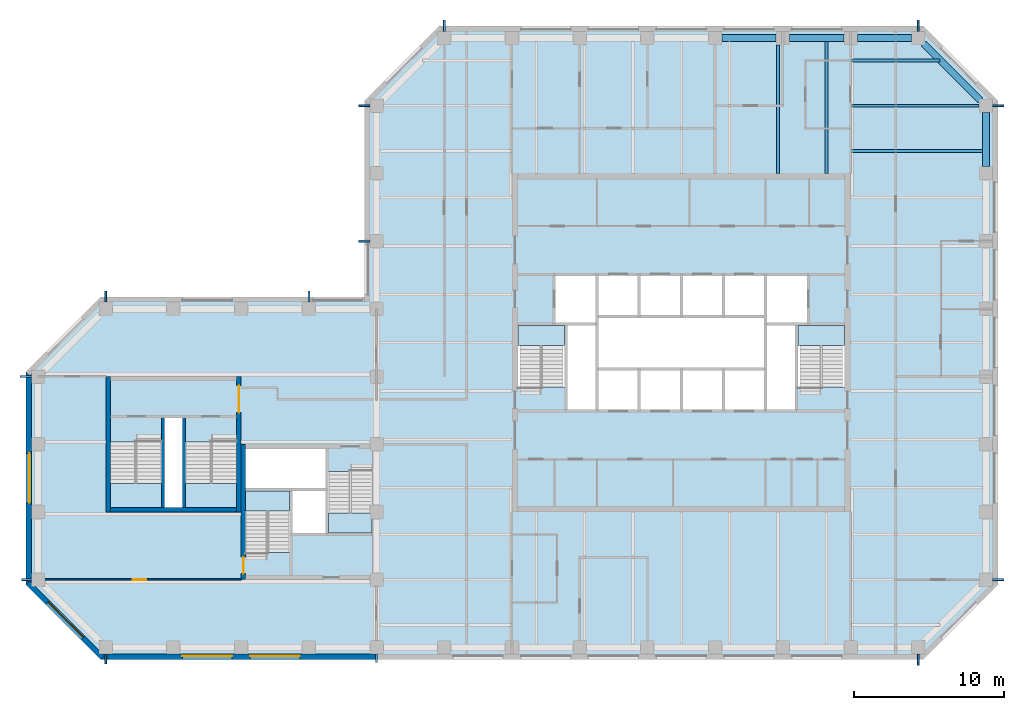
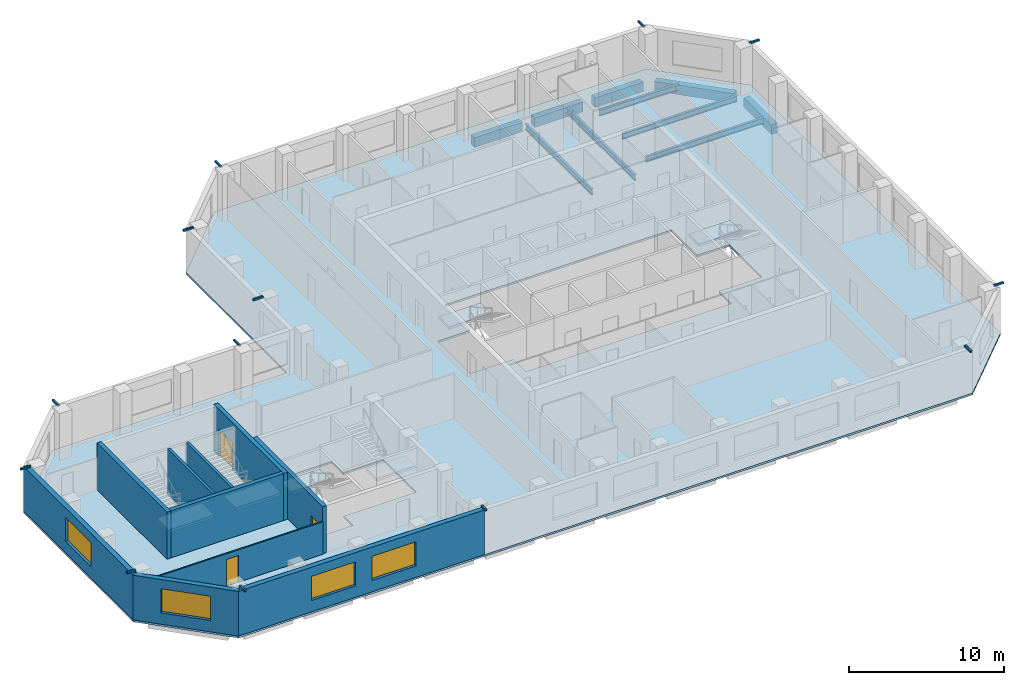
# One storey, part 2 of 9: 23 beams, 10 walls, 7 slabs, 4 windows, 3 doors, 7 openings, 6 elements without a shape of their own.
"""IFC4 building model written with IfcOpenShell, lengths in metres."""

from ifc_helpers import new_model, si_unit, direction, frame, frame_2d, origin, origin_2d, place, context, subcontext, project, spatial, polyline, rectangle, hollow_rectangle, i_section, outline, extrude, material, layer, layer_set, constituent, constituent_set, material_profile, profile_set, type_object, element, fill, aggregate, save


model = new_model("IFC4")

# Units and contexts
model_context = context("Model", 3, precision=1e-05, world=origin(), true_north=direction((0.0, 1.0)))
body_context = subcontext(model_context, "Body", "Model", "MODEL_VIEW")
ifc_project = project(units=[si_unit("LENGTHUNIT", "METRE"), si_unit("AREAUNIT", "SQUARE_METRE"), si_unit("VOLUMEUNIT", "CUBIC_METRE"), si_unit("PLANEANGLEUNIT", "RADIAN"), si_unit("MASSUNIT", "GRAM", prefix="KILO")], contexts=[model_context])

# Site, building, storey
site_placement = place(None, origin())
site = spatial("IfcSite", under=ifc_project, at=site_placement, CompositionType="ELEMENT")
building_placement = place(site_placement, origin())
building = spatial("IfcBuilding", under=site, at=building_placement, Name="Quoin Convention Tower", CompositionType="ELEMENT")
storey_placement = place(building_placement, frame((0.0, 0.0, 155.10009765625)))
storey = spatial("IfcBuildingStorey", under=building, at=storey_placement, Name="L40", CompositionType="ELEMENT", Elevation=155.10009765625)

# Beams
ifc_material_1 = material(Name="Steel C450L0", Category="steel")
ifc_material_profile_1 = material_profile(ifc_material_1, hollow_rectangle(XDim=0.14990234375, YDim=0.14990234375, WallThickness=0.008056640625, InnerFilletRadius=0.011962890625, OuterFilletRadius=0.02001953125, at=origin_2d()), Name="150x150x8.0SHS")
ifc_profile_set_1 = profile_set([ifc_material_profile_1], Name="Steel C450L0")
beam_type_1 = type_object("IfcBeamType", Name="150x150x8.0SHS", PredefinedType="BEAM", material=ifc_profile_set_1)
beam_1_placement = place(storey_placement, frame((13.050048828125, 58.5, 3.625), z_axis=(-1.0, 0.0, 0.0), x_axis=(0.0, -1.0, 0.0)))
element("IfcBeam", 1, at=beam_1_placement, inside=storey, type_object=beam_type_1, Name="brk-hi-L37-13500_58500-13500_54000", PredefinedType="BEAM", context=body_context, shape_type="SweptSolid", body=[
    extrude(hollow_rectangle(XDim=0.14990234375, YDim=0.14990234375, WallThickness=0.008056640625, InnerFilletRadius=0.011962890625, OuterFilletRadius=0.02001953125, at=origin_2d()), origin(), (0.0, 0.0, 1.0), 0.75),
])
for number, where, z_axis, x_axis, name in (
    (2, (13.050048828125, 45.0, 3.625), (-1.0, 0.0, 0.0), (0.0, -1.0, 0.0), "brk-hi-L37-13500_49500-13500_45000"),
    (3, (18.0, 40.050048828125, 3.625), (0.0, -1.0, 0.0), (1.0, 0.0, 0.0), "brk-hi-L37-18000_40500-22500_40500"),
):
    element("IfcBeam", number, at=place(storey_placement, frame(where, z_axis=z_axis, x_axis=x_axis)), inside=storey, type_object=beam_type_1, Name=name, PredefinedType="BEAM", context=body_context, shape_type="SweptSolid", body=[
        extrude(hollow_rectangle(XDim=0.14990234375, YDim=0.14990234375, WallThickness=0.008056640625, InnerFilletRadius=0.011962890625, OuterFilletRadius=0.02001953125, at=origin_2d()), origin(), (0.0, 0.0, 1.0), 0.650146484375),
    ])
beam_2_placement = place(storey_placement, frame((36.0, 40.050048828125, 3.625), z_axis=(0.0, -1.0, 0.0), x_axis=(1.0, 0.0, 0.0)))
element("IfcBeam", 4, at=beam_2_placement, inside=storey, type_object=beam_type_1, Name="brk-hi-L37-31500_40500-36000_40500", PredefinedType="BEAM", context=body_context, shape_type="SweptSolid", body=[
    extrude(hollow_rectangle(XDim=0.14990234375, YDim=0.14990234375, WallThickness=0.008056640625, InnerFilletRadius=0.011962890625, OuterFilletRadius=0.02001953125, at=origin_2d()), origin(), (0.0, 0.0, 1.0), 0.550048828125),
])
for number, where, z_axis, x_axis, name in (
    (5, (72.0, 40.050048828125, 3.625), (0.0, -1.0, 0.0), (1.0, 0.0, 0.0), "brk-hi-L37-67500_40500-72000_40500"),
    (6, (31.5, 63.449951171875, 3.625), (0.0, 1.0, 0.0), (-1.0, 0.0, 0.0), "brk-hi-L37-31500_63000-27000_63000"),
    (7, (18.0, 63.449951171875, 3.625), (0.0, 1.0, 0.0), (-1.0, 0.0, 0.0), "brk-hi-L37-22500_63000-18000_63000"),
    (8, (35.550048828125, 76.5, 3.625), (-1.0, 0.0, 0.0), (0.0, -1.0, 0.0), "brk-hi-L37-36000_76500-36000_72000"),
    (9, (35.550048828125, 67.5, 3.625), (-1.0, 0.0, 0.0), (0.0, -1.0, 0.0), "brk-hi-L37-36000_72000-36000_67500"),
    (10, (72.0, 81.449951171875, 3.625), (0.0, 1.0, 0.0), (-1.0, 0.0, 0.0), "brk-hi-L37-72000_81000-67500_81000"),
    (11, (40.5, 81.449951171875, 3.625), (0.0, 1.0, 0.0), (-1.0, 0.0, 0.0), "brk-hi-L37-45000_81000-40500_81000"),
    (12, (76.949951171875, 45.0, 3.625), (1.0, 0.0, 0.0), (0.0, 1.0, 0.0), "brk-hi-L37-76500_45000-76500_49500"),
    (13, (76.949951171875, 76.5, 3.625), (1.0, 0.0, 0.0), (0.0, 1.0, 0.0), "brk-hi-L37-76500_72000-76500_76500"),
):
    element("IfcBeam", number, at=place(storey_placement, frame(where, z_axis=z_axis, x_axis=x_axis)), inside=storey, type_object=beam_type_1, Name=name, PredefinedType="BEAM", context=body_context, shape_type="SweptSolid", body=[
        extrude(hollow_rectangle(XDim=0.14990234375, YDim=0.14990234375, WallThickness=0.008056640625, InnerFilletRadius=0.011962890625, OuterFilletRadius=0.02001953125, at=origin_2d()), origin(), (0.0, 0.0, 1.0), 0.75),
    ])
ifc_material_2 = material(Name="Steel Grade 300", Category="steel")
ifc_material_profile_2 = material_profile(ifc_material_2, i_section(OverallWidth=0.18994140625, OverallDepth=0.4541015625, WebThickness=0.008544921875, FlangeThickness=0.0126953125, FilletRadius=0.011474609375, at=origin_2d()), Name="460UB67.1")
ifc_profile_set_2 = profile_set([ifc_material_profile_2], Name="Steel Grade 300")
beam_type_2 = type_object("IfcBeamType", Name="460UB67.1", PredefinedType="BEAM", material=ifc_profile_set_2)
beam_3_placement = place(storey_placement, frame((62.6787109375, 72.0, -0.377197265625), z_axis=(0.0, 1.0, 0.0), x_axis=(-1.0, 0.0, 0.0)))
element("IfcBeam", 14, at=beam_3_placement, inside=storey, type_object=beam_type_2, Name="bm-L40-T1N5", PredefinedType="BEAM", context=body_context, shape_type="SweptSolid", body=[
    extrude(i_section(OverallWidth=0.18994140625, OverallDepth=0.4541015625, WebThickness=0.008544921875, FlangeThickness=0.0126953125, FilletRadius=0.011474609375, at=origin_2d()), origin(), (0.0, 0.0, 1.0), 8.550048828125),
])
beam_4_placement = place(storey_placement, frame((65.892822265625, 72.0, -0.377197265625), z_axis=(0.0, 1.0, 0.0), x_axis=(-1.0, 0.0, 0.0)))
element("IfcBeam", 15, at=beam_4_placement, inside=storey, type_object=beam_type_2, Name="bm-L40-T1N6", PredefinedType="BEAM", context=body_context, shape_type="SweptSolid", body=[
    extrude(i_section(OverallWidth=0.18994140625, OverallDepth=0.4541015625, WebThickness=0.008544921875, FlangeThickness=0.0126953125, FilletRadius=0.011474609375, at=origin_2d()), origin(), (0.0, 0.0, 1.0), 8.77490234375),
])
beam_5_placement = place(storey_placement, frame((67.5, 79.5, -0.377197265625), z_axis=(1.0, 0.0, 0.0), x_axis=(0.0, 1.0, 0.0)))
element("IfcBeam", 16, at=beam_5_placement, inside=storey, type_object=beam_type_2, Name="bm-L40-T1NE0", PredefinedType="BEAM", context=body_context, shape_type="SweptSolid", body=[
    extrude(i_section(OverallWidth=0.18994140625, OverallDepth=0.4541015625, WebThickness=0.008544921875, FlangeThickness=0.0126953125, FilletRadius=0.011474609375, at=origin_2d()), origin(), (0.0, 0.0, 1.0), 5.935791015625),
])
beam_6_placement = place(storey_placement, frame((67.5, 76.5, -0.377197265625), z_axis=(1.0, 0.0, 0.0), x_axis=(0.0, 1.0, 0.0)))
element("IfcBeam", 17, at=beam_6_placement, inside=storey, type_object=beam_type_2, Name="bm-L40-T1NE1", PredefinedType="BEAM", context=body_context, shape_type="SweptSolid", body=[
    extrude(i_section(OverallWidth=0.18994140625, OverallDepth=0.4541015625, WebThickness=0.008544921875, FlangeThickness=0.0126953125, FilletRadius=0.011474609375, at=origin_2d()), origin(), (0.0, 0.0, 1.0), 8.550048828125),
])
beam_7_placement = place(storey_placement, frame((67.5, 73.5, -0.377197265625), z_axis=(1.0, 0.0, 0.0), x_axis=(0.0, 1.0, 0.0)))
element("IfcBeam", 18, at=beam_7_placement, inside=storey, type_object=beam_type_2, Name="bm-L40-T1NE2", PredefinedType="BEAM", context=body_context, shape_type="SweptSolid", body=[
    extrude(i_section(OverallWidth=0.18994140625, OverallDepth=0.4541015625, WebThickness=0.008544921875, FlangeThickness=0.0126953125, FilletRadius=0.011474609375, at=origin_2d()), origin(), (0.0, 0.0, 1.0), 8.77490234375),
])
ifc_material_3 = material(Name="Concrete C50", Category="concrete")
ifc_material_profile_3 = material_profile(ifc_material_3, rectangle(XDim=0.449951171875, YDim=0.75, at=origin_2d()), Name="RC 450x750")
ifc_profile_set_3 = profile_set([ifc_material_profile_3], Name="Concrete C50")
beam_type_3 = type_object("IfcBeamType", Name="RC 450x750 C50", PredefinedType="SPANDREL", material=ifc_profile_set_3)
beam_8_placement = place(storey_placement, frame((76.5, 72.449951171875, -0.525146484375), z_axis=(0.0, 1.0, 0.0), x_axis=(-1.0, 0.0, 0.0)))
element("IfcBeam", 19, at=beam_8_placement, inside=storey, type_object=beam_type_3, Name="spd-L40-76500_72000-76500_76500", PredefinedType="SPANDREL", context=body_context, shape_type="SweptSolid", body=[
    extrude(rectangle(XDim=0.449951171875, YDim=0.75, at=origin_2d()), origin(), (0.0, 0.0, 1.0), 3.60009765625),
])
beam_9_placement = place(storey_placement, frame((76.135009765625, 76.864990234375, -0.525146484375), z_axis=(-0.707106781187, 0.707106781187, 0.0), x_axis=(-0.707106781187, -0.707106781187, 0.0)))
element("IfcBeam", 20, at=beam_9_placement, inside=storey, type_object=beam_type_3, Name="spd-L40-76500_76500-72000_81000", PredefinedType="SPANDREL", context=body_context, shape_type="SweptSolid", body=[
    extrude(rectangle(XDim=0.449951171875, YDim=0.75, at=origin_2d()), origin(), (0.0, 0.0, 1.0), 5.33154296875),
])
for number, where, z_axis, x_axis, name in (
    (21, (71.550048828125, 81.0, -0.525146484375), (-1.0, 0.0, 0.0), (0.0, -1.0, 0.0), "spd-L40-72000_81000-67500_81000"),
    (22, (67.050048828125, 81.0, -0.525146484375), (-1.0, 0.0, 0.0), (0.0, -1.0, 0.0), "spd-L40-67500_81000-63000_81000"),
    (23, (62.550048828125, 81.0, -0.525146484375), (-1.0, 0.0, 0.0), (0.0, -1.0, 0.0), "spd-L40-63000_81000-58500_81000"),
):
    element("IfcBeam", number, at=place(storey_placement, frame(where, z_axis=z_axis, x_axis=x_axis)), inside=storey, type_object=beam_type_3, Name=name, PredefinedType="SPANDREL", context=body_context, shape_type="SweptSolid", body=[
        extrude(rectangle(XDim=0.449951171875, YDim=0.75, at=origin_2d()), origin(), (0.0, 0.0, 1.0), 3.60009765625),
    ])

# Slab
ifc_material_4 = material(Name="Concrete C40", Category="concrete")
ifc_layer_1 = layer(ifc_material_4, 0.14990234375)
ifc_layer_set_1 = layer_set([ifc_layer_1], Name="Concrete C40")
slab_type_1 = type_object("IfcSlabType", Name="COMPOSITE SLAB 150 C40", PredefinedType="FLOOR", material=ifc_layer_set_1)
slab_1_placement = place(storey_placement, frame((0.0, 0.0, -0.150146484375)))
element("IfcSlab", 24, at=slab_1_placement, inside=storey, type_object=slab_type_1, Name="slb-L40", PredefinedType="FLOOR", context=body_context, shape_type="SweptSolid", body=[
    extrude(outline(polyline([(17.668701171875, 39.699951171875), (12.699951171875, 44.668701171875), (12.699951171875, 58.831298828125), (17.668701171875, 63.800048828125), (35.199951171875, 63.800048828125), (35.199951171875, 76.831298828125), (40.168701171875, 81.800048828125), (72.331298828125, 81.800048828125), (77.300048828125, 76.831298828125), (77.300048828125, 44.668701171875), (72.331298828125, 39.699951171875), (17.668701171875, 39.699951171875)]), holes=[polyline([(27.300048828125, 51.0), (27.300048828125, 46.800537109375), (30.300048828125, 46.800537109375), (30.300048828125, 48.0), (32.699951171875, 48.0), (35.699951171875, 48.0), (35.699951171875, 52.199462890625), (32.699951171875, 52.199462890625), (32.699951171875, 53.699951171875), (27.300048828125, 53.699951171875), (27.300048828125, 51.0)]), polyline([(18.300048828125, 49.800048828125), (21.800048828125, 49.800048828125), (23.199951171875, 49.800048828125), (26.699951171875, 49.800048828125), (26.699951171875, 54.1494140625), (23.199951171875, 54.1494140625), (23.199951171875, 55.85009765625), (21.800048828125, 55.85009765625), (21.800048828125, 54.1494140625), (18.300048828125, 54.1494140625), (18.300048828125, 49.800048828125)]), polyline([(48.60009765625, 56.199951171875), (50.64990234375, 56.199951171875), (53.449951171875, 56.199951171875), (56.25, 56.199951171875), (59.050048828125, 56.199951171875), (61.85009765625, 56.199951171875), (63.89990234375, 56.199951171875), (63.89990234375, 57.800537109375), (67.10009765625, 57.800537109375), (67.10009765625, 62.0), (64.699951171875, 62.0), (64.699951171875, 65.300048828125), (61.85009765625, 65.300048828125), (59.050048828125, 65.300048828125), (56.25, 65.300048828125), (53.449951171875, 65.300048828125), (50.64990234375, 65.300048828125), (47.800048828125, 65.300048828125), (47.800048828125, 62.0), (45.39990234375, 62.0), (45.39990234375, 57.800537109375), (48.60009765625, 57.800537109375), (48.60009765625, 56.199951171875)])]), origin(), (0.0, 0.0, 1.0), 0.150146484375),
])

# Stair, slab
stair_type_1 = type_object("IfcStairType", Name="Exit stair two-flight 1350", PredefinedType="HALF_TURN_STAIR", material=ifc_material_4)
stair_1_placement = place(storey_placement, origin())
stair_1 = element("IfcStair", 25, at=stair_1_placement, inside=storey, type_object=stair_type_1, Name="SD1 L40", PredefinedType="HALF_TURN_STAIR")
ifc_layer_2 = layer(ifc_material_4, 0.199951171875)
ifc_layer_set_2 = layer_set([ifc_layer_2], Name="Concrete C40")
slab_type_2 = type_object("IfcSlabType", Name="Stair landing 200", PredefinedType="LANDING", material=ifc_layer_set_2)
slab_2_placement = place(storey_placement, frame((0.0, 0.0, 1.792236328125)))
slab_2 = element("IfcSlab", 26, at=slab_2_placement, type_object=slab_type_2, Name="ST1 landing 1", PredefinedType="LANDING", context=body_context, shape_type="SweptSolid", body=[
    extrude(outline(polyline([(45.39990234375, 60.550048828125), (48.5, 60.550048828125), (48.5, 61.89990234375), (45.39990234375, 61.89990234375), (45.39990234375, 60.550048828125)])), origin(), (0.0, 0.0, 1.0), 0.199951171875),
])
aggregate(stair_1, [slab_2])

stair_2_placement = place(storey_placement, origin())
stair_2 = element("IfcStair", 27, at=stair_2_placement, inside=storey, type_object=stair_type_1, Name="SD2 L40", PredefinedType="HALF_TURN_STAIR")
slab_3_placement = place(storey_placement, frame((0.0, 0.0, 1.792236328125)))
slab_3 = element("IfcSlab", 28, at=slab_3_placement, type_object=slab_type_2, Name="ST2 landing 1", PredefinedType="LANDING", context=body_context, shape_type="SweptSolid", body=[
    extrude(outline(polyline([(64.0, 60.550048828125), (67.10009765625, 60.550048828125), (67.10009765625, 61.89990234375), (64.0, 61.89990234375), (64.0, 60.550048828125)])), origin(), (0.0, 0.0, 1.0), 0.199951171875),
])
aggregate(stair_2, [slab_3])

stair_3_placement = place(storey_placement, origin())
stair_3 = element("IfcStair", 29, at=stair_3_placement, inside=storey, type_object=stair_type_1, Name="SD3 L40", PredefinedType="HALF_TURN_STAIR")
slab_4_placement = place(storey_placement, frame((0.0, 0.0, 1.792236328125)))
slab_4 = element("IfcSlab", 30, at=slab_4_placement, type_object=slab_type_2, Name="ST3 landing 1", PredefinedType="LANDING", context=body_context, shape_type="SweptSolid", body=[
    extrude(outline(polyline([(27.300048828125, 49.550048828125), (30.199951171875, 49.550048828125), (30.199951171875, 50.89990234375), (27.300048828125, 50.89990234375), (27.300048828125, 49.550048828125)])), origin(), (0.0, 0.0, 1.0), 0.199951171875),
])
aggregate(stair_3, [slab_4])

stair_4_placement = place(storey_placement, origin())
stair_4 = element("IfcStair", 31, at=stair_4_placement, inside=storey, type_object=stair_type_1, Name="SD4 L40", PredefinedType="HALF_TURN_STAIR")
slab_5_placement = place(storey_placement, frame((0.0, 0.0, 1.792236328125)))
slab_5 = element("IfcSlab", 32, at=slab_5_placement, type_object=slab_type_2, Name="ST4 landing 1", PredefinedType="LANDING", context=body_context, shape_type="SweptSolid", body=[
    extrude(outline(polyline([(35.699951171875, 49.449951171875), (32.800048828125, 49.449951171875), (32.800048828125, 48.10009765625), (35.699951171875, 48.10009765625), (35.699951171875, 49.449951171875)])), origin(), (0.0, 0.0, 1.0), 0.199951171875),
])
aggregate(stair_4, [slab_5])

stair_type_2 = type_object("IfcStairType", Name="Exit stair two-flight 1600", PredefinedType="HALF_TURN_STAIR", material=ifc_material_4)
stair_5_placement = place(storey_placement, origin())
stair_5 = element("IfcStair", 33, at=stair_5_placement, inside=storey, type_object=stair_type_2, Name="SD11 L40", PredefinedType="HALF_TURN_STAIR")
slab_6_placement = place(storey_placement, frame((0.0, 0.0, 1.792236328125)))
slab_6 = element("IfcSlab", 34, at=slab_6_placement, type_object=slab_type_2, Name="ST11 landing 1", PredefinedType="LANDING", context=body_context, shape_type="SweptSolid", body=[
    extrude(outline(polyline([(21.699951171875, 51.39990234375), (18.300048828125, 51.39990234375), (18.300048828125, 49.800048828125), (21.699951171875, 49.800048828125), (21.699951171875, 51.39990234375)])), origin(), (0.0, 0.0, 1.0), 0.199951171875),
])
aggregate(stair_5, [slab_6])

stair_6_placement = place(storey_placement, origin())
stair_6 = element("IfcStair", 35, at=stair_6_placement, inside=storey, type_object=stair_type_2, Name="SD12 L40", PredefinedType="HALF_TURN_STAIR")
slab_7_placement = place(storey_placement, frame((0.0, 0.0, 1.792236328125)))
slab_7 = element("IfcSlab", 36, at=slab_7_placement, type_object=slab_type_2, Name="ST12 landing 1", PredefinedType="LANDING", context=body_context, shape_type="SweptSolid", body=[
    extrude(outline(polyline([(26.699951171875, 51.39990234375), (23.300048828125, 51.39990234375), (23.300048828125, 49.800048828125), (26.699951171875, 49.800048828125), (26.699951171875, 51.39990234375)])), origin(), (0.0, 0.0, 1.0), 0.199951171875),
])
aggregate(stair_6, [slab_7])

# Wall, opening, window
ifc_material_5 = material(Name="Brick masonry", Category="masonry")
ifc_layer_3 = layer(ifc_material_5, 0.35009765625)
ifc_layer_set_3 = layer_set([ifc_layer_3], Name="Brick masonry")
wall_type_1 = type_object("IfcWallType", Name="Brick facade wall", PredefinedType="STANDARD", material=ifc_layer_set_3)
wall_1_placement = place(storey_placement, frame((12.875, 58.831298828125, 0.0), z_axis=(0.0, 0.0, 1.0), x_axis=(0.0, -1.0, 0.0)))
wall_1 = element("IfcWall", 37, at=wall_1_placement, inside=storey, type_object=wall_type_1, Name="fw-L40-13500_58500", PredefinedType="STANDARD", context=body_context, shape_type="SweptSolid", body=[
    extrude(rectangle(XDim=14.16259765625, YDim=0.35009765625, at=frame_2d((7.081298828125, 0.0))), origin(), (0.0, 0.0, 1.0), 3.52490234375),
])
opening_1_placement = place(wall_1_placement, frame((5.431396484375, 0.0, 0.89990234375)))
opening_1 = element("IfcOpeningElement", 38, at=opening_1_placement, cuts=wall_1, Name="Opening W-02", PredefinedType="OPENING", context=body_context, shape_type="SweptSolid", body=[
    extrude(rectangle(XDim=3.300048828125, YDim=1.89990234375, at=frame_2d((1.64990234375, 0.949951171875))), frame((0.0, 0.18505859375, 0.0), z_axis=(0.0, -1.0, 0.0), x_axis=(1.0, 0.0, 0.0)), (0.0, 0.0, 1.0), 0.3701171875),
])
ifc_material_6 = material(Name="Aluminium", Category="aluminium")
ifc_constituent_1 = constituent(ifc_material_6, Name="Frame")
ifc_material_7 = material(Name="Insulated glass", Category="glass")
ifc_constituent_2 = constituent(ifc_material_7, Name="Glazing")
ifc_constituent_set = constituent_set(constituents=[ifc_constituent_1, ifc_constituent_2], Name="Aluminium")
window_type = type_object("IfcWindowType", Name="Office window", PartitioningType="DOUBLE_PANEL_VERTICAL", PredefinedType="WINDOW", material=ifc_constituent_set)
window_1_placement = place(opening_1_placement, origin())
window_1 = element("IfcWindow", 39, at=window_1_placement, inside=storey, type_object=window_type, Name="win-L40-12875_51750", OverallHeight=1.89990234375, OverallWidth=3.300048828125, PartitioningType="SINGLE_PANEL", PredefinedType="WINDOW", context=body_context, shape_type="SweptSolid", body=[
    extrude(rectangle(XDim=3.300048828125, YDim=1.89990234375, at=frame_2d((1.64990234375, 0.949951171875))), frame((0.0, 0.0849609375, 0.0), z_axis=(0.0, -1.0, 0.0), x_axis=(1.0, 0.0, 0.0)), (0.0, 0.0, 1.0), 0.06005859375),
])
fill(opening_1, window_1)

wall_2_placement = place(storey_placement, frame((12.82373046875, 44.79248046875, 0.0), z_axis=(0.0, 0.0, 1.0), x_axis=(0.707106781187, -0.707106781187, 0.0)))
wall_2 = element("IfcWall", 40, at=wall_2_placement, inside=storey, type_object=wall_type_1, Name="fw-L40-13500_45000", PredefinedType="STANDARD", context=body_context, shape_type="SweptSolid", body=[
    extrude(rectangle(XDim=7.02685546875, YDim=0.35009765625, at=frame_2d((3.513427734375, 0.0))), origin(), (0.0, 0.0, 1.0), 3.52490234375),
])
opening_2_placement = place(wall_2_placement, frame((1.86328125, 0.0, 0.89990234375)))
opening_2 = element("IfcOpeningElement", 41, at=opening_2_placement, cuts=wall_2, Name="Opening W-02", PredefinedType="OPENING", context=body_context, shape_type="SweptSolid", body=[
    extrude(rectangle(XDim=3.300048828125, YDim=1.89990234375, at=frame_2d((1.64990234375, 0.949951171875))), frame((0.0, 0.18505859375, 0.0), z_axis=(0.0, -1.0, 0.0), x_axis=(1.0, 0.0, 0.0)), (0.0, 0.0, 1.0), 0.3701171875),
])
window_2_placement = place(opening_2_placement, origin())
window_2 = element("IfcWindow", 42, at=window_2_placement, inside=storey, type_object=window_type, Name="win-L40-15308_42308", OverallHeight=1.89990234375, OverallWidth=3.300048828125, PartitioningType="SINGLE_PANEL", PredefinedType="WINDOW", context=body_context, shape_type="SweptSolid", body=[
    extrude(rectangle(XDim=3.300048828125, YDim=1.89990234375, at=frame_2d((1.64990234375, 0.949951171875))), frame((0.0, 0.0849609375, 0.0), z_axis=(0.0, -1.0, 0.0), x_axis=(1.0, 0.0, 0.0)), (0.0, 0.0, 1.0), 0.06005859375),
])
fill(opening_2, window_2)

# Wall, openings, windows
wall_3_placement = place(storey_placement, frame((17.668701171875, 39.875, 0.0), z_axis=(0.0, 0.0, 1.0), x_axis=(1.0, 0.0, 0.0)))
wall_3 = element("IfcWall", 43, at=wall_3_placement, inside=storey, type_object=wall_type_1, Name="fw-L40-18000_40500", PredefinedType="STANDARD", context=body_context, shape_type="SweptSolid", body=[
    extrude(rectangle(XDim=18.331298828125, YDim=0.35009765625, at=frame_2d((9.16552734375, 0.0))), origin(), (0.0, 0.0, 1.0), 3.52490234375),
])
opening_3_placement = place(wall_3_placement, frame((5.431396484375, 0.0, 0.89990234375)))
opening_3 = element("IfcOpeningElement", 44, at=opening_3_placement, cuts=wall_3, Name="Opening W-02", PredefinedType="OPENING", context=body_context, shape_type="SweptSolid", body=[
    extrude(rectangle(XDim=3.300048828125, YDim=1.89990234375, at=frame_2d((1.64990234375, 0.949951171875))), frame((0.0, 0.18505859375, 0.0), z_axis=(0.0, -1.0, 0.0), x_axis=(1.0, 0.0, 0.0)), (0.0, 0.0, 1.0), 0.3701171875),
])
opening_4_placement = place(wall_3_placement, frame((9.931396484375, 0.0, 0.89990234375)))
opening_4 = element("IfcOpeningElement", 45, at=opening_4_placement, cuts=wall_3, Name="Opening W-02", PredefinedType="OPENING", context=body_context, shape_type="SweptSolid", body=[
    extrude(rectangle(XDim=3.300048828125, YDim=1.89990234375, at=frame_2d((1.64990234375, 0.949951171875))), frame((0.0, 0.18505859375, 0.0), z_axis=(0.0, -1.0, 0.0), x_axis=(1.0, 0.0, 0.0)), (0.0, 0.0, 1.0), 0.3701171875),
])
window_3_placement = place(opening_3_placement, origin())
window_3 = element("IfcWindow", 46, at=window_3_placement, inside=storey, type_object=window_type, Name="win-L40-24750_39875", OverallHeight=1.89990234375, OverallWidth=3.300048828125, PartitioningType="SINGLE_PANEL", PredefinedType="WINDOW", context=body_context, shape_type="SweptSolid", body=[
    extrude(rectangle(XDim=3.300048828125, YDim=1.89990234375, at=frame_2d((1.64990234375, 0.949951171875))), frame((0.0, 0.0849609375, 0.0), z_axis=(0.0, -1.0, 0.0), x_axis=(1.0, 0.0, 0.0)), (0.0, 0.0, 1.0), 0.06005859375),
])
fill(opening_3, window_3)
window_4_placement = place(opening_4_placement, origin())
window_4 = element("IfcWindow", 47, at=window_4_placement, inside=storey, type_object=window_type, Name="win-L40-29250_39875", OverallHeight=1.89990234375, OverallWidth=3.300048828125, PartitioningType="SINGLE_PANEL", PredefinedType="WINDOW", context=body_context, shape_type="SweptSolid", body=[
    extrude(rectangle(XDim=3.300048828125, YDim=1.89990234375, at=frame_2d((1.64990234375, 0.949951171875))), frame((0.0, 0.0849609375, 0.0), z_axis=(0.0, -1.0, 0.0), x_axis=(1.0, 0.0, 0.0)), (0.0, 0.0, 1.0), 0.06005859375),
])
fill(opening_4, window_4)

# Walls
ifc_layer_4 = layer(ifc_material_3, 0.199951171875)
ifc_layer_set_4 = layer_set([ifc_layer_4], Name="Concrete C50")
wall_type_2 = type_object("IfcWallType", Name="Core shaft wall", PredefinedType="SOLIDWALL", material=ifc_layer_set_4)
for number, where, z_axis, x_axis, name in (
    (48, (21.800048828125, 49.800048828125, 0.0), (0.0, 0.0, 1.0), (0.0, 1.0, 0.0), "cr-P6-L40-v3800_300"),
    (49, (23.199951171875, 49.800048828125, 0.0), (0.0, 0.0, 1.0), (0.0, 1.0, 0.0), "cr-P6-L40-v5200_300"),
):
    element("IfcWall", number, at=place(storey_placement, frame(where, z_axis=z_axis, x_axis=x_axis)), inside=storey, type_object=wall_type_2, Name=name, PredefinedType="SOLIDWALL", context=body_context, shape_type="SweptSolid", body=[
        extrude(rectangle(XDim=6.050048828125, YDim=0.199951171875, at=frame_2d((3.02490234375, 0.0))), origin(), (0.0, 0.0, 1.0), 3.5498046875),
    ])

# Wall, opening, door
ifc_layer_5 = layer(ifc_material_3, 0.300048828125)
ifc_layer_set_5 = layer_set([ifc_layer_5], Name="Concrete C50")
wall_type_3 = type_object("IfcWallType", Name="RC CORE WALL 300 C50", PredefinedType="SHEAR", material=ifc_layer_set_5)
wall_4_placement = place(storey_placement, frame((27.14990234375, 45.0, 0.0), z_axis=(0.0, 0.0, 1.0), x_axis=(0.0, 1.0, 0.0)))
wall_4 = element("IfcWall", 50, at=wall_4_placement, inside=storey, type_object=wall_type_3, Name="cwl-P2-L40-W", PredefinedType="SHEAR", context=body_context, shape_type="SweptSolid", body=[
    extrude(rectangle(XDim=9.0, YDim=0.300048828125, at=frame_2d((4.5, 0.0))), origin(), (0.0, 0.0, 1.0), 3.699951171875),
])
opening_5_placement = place(wall_4_placement, frame((0.39990234375, 0.0, 0.0)))
opening_5 = element("IfcOpeningElement", 51, at=opening_5_placement, cuts=wall_4, Name="Opening SD3", PredefinedType="OPENING", context=body_context, shape_type="SweptSolid", body=[
    extrude(rectangle(XDim=1.10009765625, YDim=2.10009765625, at=frame_2d((0.550048828125, 1.050048828125))), frame((0.0, 0.159912109375, 0.0), z_axis=(0.0, -1.0, 0.0), x_axis=(1.0, 0.0, 0.0)), (0.0, 0.0, 1.0), 0.320068359375),
])
ifc_material_8 = material(Name="Steel door leaf", Category="steel")
door_type_1 = type_object("IfcDoorType", Name="Stair door 1100 x 2100", OperationType="SINGLE_SWING_RIGHT", PredefinedType="DOOR", material=ifc_material_8)
door_1_placement = place(opening_5_placement, frame((1.10009765625, 0.0, 0.0), z_axis=(0.0, 0.0, 1.0), x_axis=(-1.0, 0.0, 0.0)))
door_1 = element("IfcDoor", 52, at=door_1_placement, inside=storey, type_object=door_type_1, Name="cd-P2-L40-SA-W", OperationType="SINGLE_SWING_RIGHT", OverallHeight=2.10009765625, OverallWidth=1.10009765625, PredefinedType="DOOR", context=body_context, shape_type="SweptSolid", body=[
    extrude(rectangle(XDim=1.10009765625, YDim=2.10009765625, at=frame_2d((0.550048828125, 1.050048828125))), frame((0.0, 0.02490234375, 0.0), z_axis=(0.0, -1.0, 0.0), x_axis=(1.0, 0.0, 0.0)), (0.0, 0.0, 1.0), 0.050048828125),
])
fill(opening_5, door_1)

# Walls
wall_5_placement = place(storey_placement, frame((18.300048828125, 49.64990234375, 0.0), z_axis=(0.0, 0.0, 1.0), x_axis=(1.0, 0.0, 0.0)))
element("IfcWall", 53, at=wall_5_placement, inside=storey, type_object=wall_type_3, Name="cwl-P6-L40-S", PredefinedType="SHEAR", context=body_context, shape_type="SweptSolid", body=[
    extrude(rectangle(XDim=8.39990234375, YDim=0.300048828125, at=frame_2d((4.199951171875, 0.0))), origin(), (0.0, 0.0, 1.0), 3.699951171875),
])
wall_6_placement = place(storey_placement, frame((18.14990234375, 49.5, 0.0), z_axis=(0.0, 0.0, 1.0), x_axis=(0.0, 1.0, 0.0)))
element("IfcWall", 54, at=wall_6_placement, inside=storey, type_object=wall_type_3, Name="cwl-P6-L40-W", PredefinedType="SHEAR", context=body_context, shape_type="SweptSolid", body=[
    extrude(rectangle(XDim=9.0, YDim=0.300048828125, at=frame_2d((4.5, 0.0))), origin(), (0.0, 0.0, 1.0), 3.699951171875),
])

# Wall, opening, door
wall_7_placement = place(storey_placement, frame((26.85009765625, 49.5, 0.0), z_axis=(0.0, 0.0, 1.0), x_axis=(0.0, 1.0, 0.0)))
wall_7 = element("IfcWall", 55, at=wall_7_placement, inside=storey, type_object=wall_type_3, Name="cwl-P6-L40-E", PredefinedType="SHEAR", context=body_context, shape_type="SweptSolid", body=[
    extrude(rectangle(XDim=9.0, YDim=0.300048828125, at=frame_2d((4.5, 0.0))), origin(), (0.0, 0.0, 1.0), 3.699951171875),
])
opening_6_placement = place(wall_7_placement, frame((6.60009765625, 0.0, 0.0)))
opening_6 = element("IfcOpeningElement", 56, at=opening_6_placement, cuts=wall_7, Name="Opening DCV2-44", PredefinedType="OPENING", context=body_context, shape_type="SweptSolid", body=[
    extrude(rectangle(XDim=1.800048828125, YDim=2.10009765625, at=frame_2d((0.89990234375, 1.050048828125))), frame((0.0, 0.159912109375, 0.0), z_axis=(0.0, -1.0, 0.0), x_axis=(1.0, 0.0, 0.0)), (0.0, 0.0, 1.0), 0.320068359375),
])
door_type_2 = type_object("IfcDoorType", Name="Goods lobby door 1800 x 2100", OperationType="SINGLE_SWING_LEFT", PredefinedType="DOOR", material=ifc_material_8)
door_2_placement = place(opening_6_placement, origin())
door_2 = element("IfcDoor", 57, at=door_2_placement, inside=storey, type_object=door_type_2, Name="cd-P6-L40-R2-E", OperationType="SINGLE_SWING_LEFT", OverallHeight=2.10009765625, OverallWidth=1.800048828125, PredefinedType="DOOR", context=body_context, shape_type="SweptSolid", body=[
    extrude(rectangle(XDim=1.800048828125, YDim=2.10009765625, at=frame_2d((0.89990234375, 1.050048828125))), frame((0.0, 0.02490234375, 0.0), z_axis=(0.0, -1.0, 0.0), x_axis=(1.0, 0.0, 0.0)), (0.0, 0.0, 1.0), 0.050048828125),
])
fill(opening_6, door_2)

ifc_material_9 = material(Name="Plasterboard")
ifc_layer_6 = layer(ifc_material_9, 0.012451171875, Name="Finish")
ifc_material_10 = material(Name="Steel stud framing", Category="steel")
ifc_layer_7 = layer(ifc_material_10, 0.074951171875, Name="Structure")
ifc_layer_8 = layer(ifc_material_9, 0.012451171875, Name="Finish")
ifc_layer_set_6 = layer_set([ifc_layer_6, ifc_layer_7, ifc_layer_8], Name="Steel stud framing")
wall_type_4 = type_object("IfcWallType", Name="Stud partition 100 under beam 1000", PredefinedType="PARTITIONING", material=ifc_layer_set_6)
wall_8_placement = place(storey_placement, frame((13.5, 45.0, 0.0), z_axis=(0.0, 0.0, 1.0), x_axis=(1.0, 0.0, 0.0)))
wall_8 = element("IfcWall", 58, at=wall_8_placement, inside=storey, type_object=wall_type_4, Name="pw-L40-w04", PredefinedType="PARTITIONING", context=body_context, shape_type="SweptSolid", body=[
    extrude(rectangle(XDim=13.5, YDim=0.10009765625, at=frame_2d((6.75, 0.0))), origin(), (0.0, 0.0, 1.0), 2.5498046875),
])
opening_7_placement = place(wall_8_placement, frame((6.300048828125, 0.0, 0.0)))
opening_7 = element("IfcOpeningElement", 59, at=opening_7_placement, cuts=wall_8, Name="Opening DOH2-22", PredefinedType="OPENING", context=body_context, shape_type="SweptSolid", body=[
    extrude(rectangle(XDim=0.89990234375, YDim=2.10009765625, at=frame_2d((0.449951171875, 1.050048828125))), frame((0.0, 0.06005859375, 0.0), z_axis=(0.0, -1.0, 0.0), x_axis=(1.0, 0.0, 0.0)), (0.0, 0.0, 1.0), 0.1201171875),
])
door_type_3 = type_object("IfcDoorType", Name="Office door 900 x 2100", OperationType="SINGLE_SWING_RIGHT", PredefinedType="DOOR", material=ifc_material_8)
door_3_placement = place(opening_7_placement, origin())
door_3 = element("IfcDoor", 60, at=door_3_placement, inside=storey, type_object=door_type_3, Name="dr-L40-w05", OperationType="SINGLE_SWING_RIGHT", OverallHeight=2.10009765625, OverallWidth=0.89990234375, PredefinedType="DOOR", context=body_context, shape_type="SweptSolid", body=[
    extrude(rectangle(XDim=0.89990234375, YDim=2.10009765625, at=frame_2d((0.449951171875, 1.050048828125))), frame((0.0, 0.02490234375, 0.0), z_axis=(0.0, -1.0, 0.0), x_axis=(1.0, 0.0, 0.0)), (0.0, 0.0, 1.0), 0.050048828125),
])
fill(opening_7, door_3)

save(model, "model.ifc")
